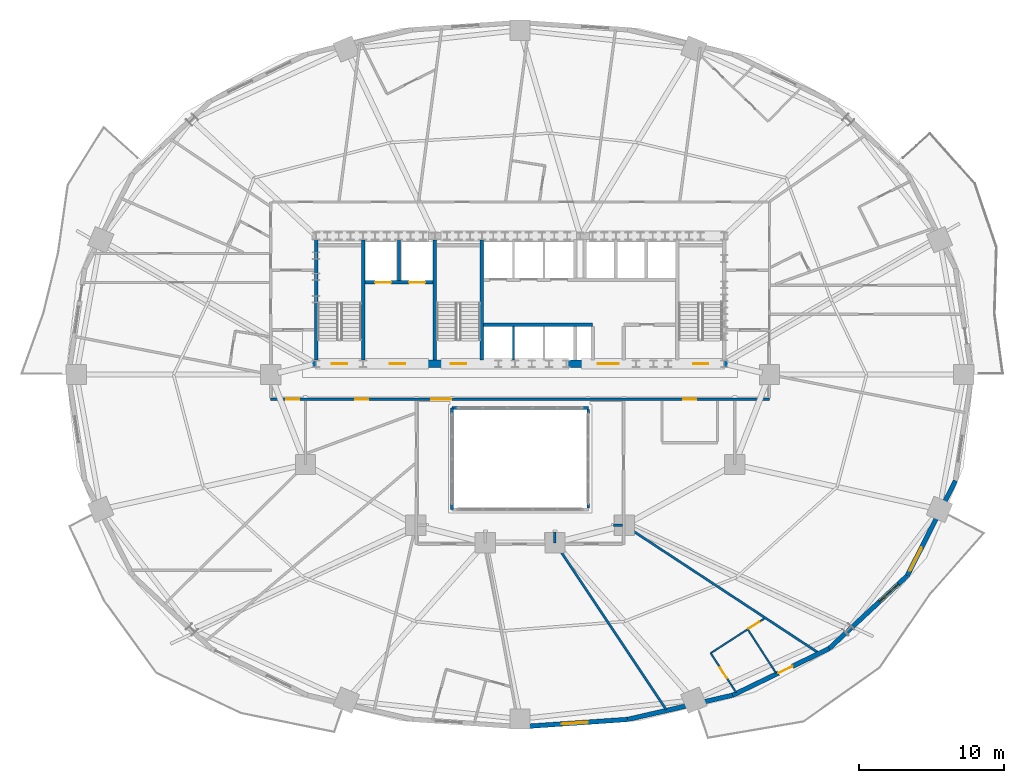
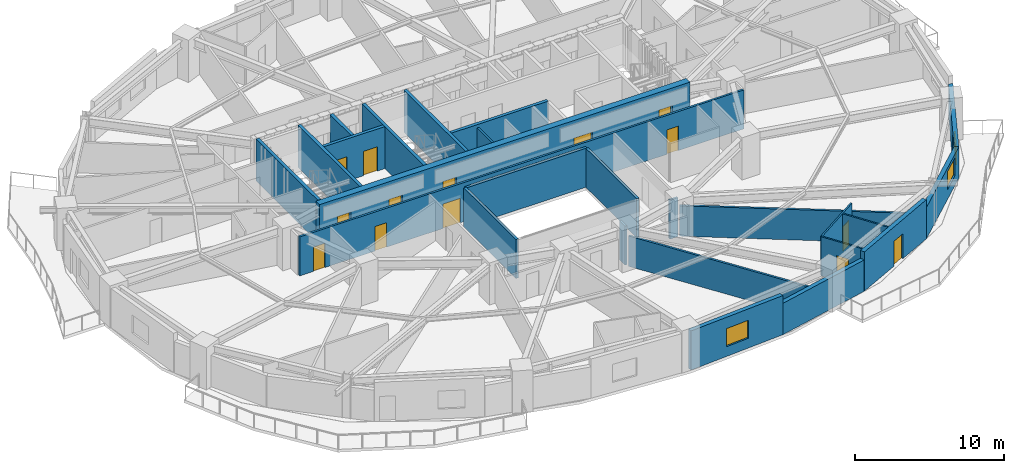
# One storey, part 10 of 17: 25 walls, 14 doors, 3 windows, 17 openings.
"""IFC4 building model written with IfcOpenShell, lengths in metres."""

from ifc_helpers import new_model, si_unit, direction, frame, frame_2d, origin, place, context, subcontext, project, spatial, rectangle, extrude, material, layer, layer_set, type_object, element, fill, save


model = new_model("IFC4")

# Units and contexts
model_context = context("Model", 3, precision=1e-05, world=origin(), true_north=direction((0.0, 1.0)))
body_context = subcontext(model_context, "Body", "Model", "MODEL_VIEW")
ifc_project = project(units=[si_unit("LENGTHUNIT", "METRE"), si_unit("AREAUNIT", "SQUARE_METRE"), si_unit("VOLUMEUNIT", "CUBIC_METRE"), si_unit("PLANEANGLEUNIT", "RADIAN"), si_unit("MASSUNIT", "GRAM", prefix="KILO")], contexts=[model_context])

# Site, building, storey
site_placement = place(None, origin())
site = spatial("IfcSite", under=ifc_project, at=site_placement, CompositionType="ELEMENT")
building_placement = place(site_placement, origin())
building = spatial("IfcBuilding", under=site, at=building_placement, Name="Haldorwick Loom Tower", CompositionType="ELEMENT")
storey_placement = place(building_placement, frame((0.0, 0.0, 51.60009765625)))
storey = spatial("IfcBuildingStorey", under=building, at=storey_placement, Name="L13", CompositionType="ELEMENT", Elevation=51.60009765625)

# Wall, opening, window
ifc_material_1 = material(Name="Pressed Clay Face Brick and Insulated Masonry Backup Assembly", Category="masonry")
ifc_layer_1 = layer(ifc_material_1, 0.320068359375, Name="Pressed Clay Face Brick and Insulated Masonry Backup Assembly", Category="masonry")
ifc_layer_set_1 = layer_set([ifc_layer_1], Name="Pressed Clay Face Brick and Insulated Masonry Backup Assembly")
wall_type_1 = type_object("IfcWallType", Name="ARC-WL-EXT320", PredefinedType="STANDARD", material=ifc_layer_set_1)
wall_1_placement = place(storey_placement, frame((36.0, 1.7099609375, 0.0), z_axis=(0.0, 0.0, 1.0), x_axis=(0.997645161917, 0.068586667092, 0.0)))
wall_1 = element("IfcWall", 1, at=wall_1_placement, inside=storey, type_object=wall_type_1, Name="L13 Brick Pier and Spandrel Wall 19", PredefinedType="STANDARD", context=body_context, shape_type="SweptSolid", body=[
    extrude(rectangle(XDim=7.428955078125, YDim=0.320068359375, at=frame_2d((3.71435546875, 0.0))), origin(), (0.0, 0.0, 1.0), 3.2099609375),
])
opening_1_placement = place(wall_1_placement, frame((2.874755859375, 0.0, 0.800048828125)))
opening_1 = element("IfcOpeningElement", 2, at=opening_1_placement, cuts=wall_1, Name="Opening W-01", PredefinedType="OPENING", context=body_context, shape_type="SweptSolid", body=[
    extrude(rectangle(XDim=1.800048828125, YDim=1.47998046875, at=frame_2d((0.89990234375, 0.739990234375))), frame((0.0, 0.169921875, 0.0), z_axis=(0.0, -1.0, 0.0), x_axis=(1.0, 0.0, 0.0)), (0.0, 0.0, 1.0), 0.340087890625),
])
ifc_material_2 = material(Name="Triple-Glazed Low-E Argon Insulated Glazing Unit", Category="glass")
window_type = type_object("IfcWindowType", Name="ARC-WIN-W180", PartitioningType="SINGLE_PANEL", PredefinedType="WINDOW", material=ifc_material_2)
window_1_placement = place(opening_1_placement, origin())
window_1 = element("IfcWindow", 3, at=window_1_placement, inside=storey, type_object=window_type, Name="L13 Deep-Set Zone 7A Window 19", OverallHeight=1.47998046875, OverallWidth=1.800048828125, PartitioningType="SINGLE_PANEL", PredefinedType="WINDOW", context=body_context, shape_type="SweptSolid", body=[
    extrude(rectangle(XDim=1.800048828125, YDim=1.47998046875, at=frame_2d((0.89990234375, 0.739990234375))), frame((0.0, 0.030029296875, 0.0), z_axis=(0.0, -1.0, 0.0), x_axis=(1.0, 0.0, 0.0)), (0.0, 0.0, 1.0), 0.06005859375),
])
fill(opening_1, window_1)

# Wall
wall_2_placement = place(storey_placement, frame((43.411376953125, 2.219482421875, 0.0), z_axis=(0.0, 0.0, 1.0), x_axis=(0.974522412345, 0.224290142088, 0.0)))
element("IfcWall", 4, at=wall_2_placement, inside=storey, type_object=wall_type_1, Name="L13 Brick Pier and Spandrel Wall 20", PredefinedType="STANDARD", context=body_context, shape_type="SweptSolid", body=[
    extrude(rectangle(XDim=7.422607421875, YDim=0.320068359375, at=frame_2d((3.71142578125, 0.0))), origin(), (0.0, 0.0, 1.0), 2.56884765625),
])

# Wall, opening, door
wall_3_placement = place(storey_placement, frame((50.644775390625, 3.88427734375, 0.0), z_axis=(0.0, 0.0, 1.0), x_axis=(0.900295710431, 0.435278800057, 0.0)))
wall_3 = element("IfcWall", 5, at=wall_3_placement, inside=storey, type_object=wall_type_1, Name="L13 Brick Pier and Spandrel Wall 21", PredefinedType="STANDARD", context=body_context, shape_type="SweptSolid", body=[
    extrude(rectangle(XDim=7.39697265625, YDim=0.320068359375, at=frame_2d((3.698486328125, 0.0))), origin(), (0.0, 0.0, 1.0), 3.2099609375),
])
opening_2_placement = place(wall_3_placement, frame((3.518310546875, 0.0, 0.0)))
opening_2 = element("IfcOpeningElement", 6, at=opening_2_placement, cuts=wall_3, Name="Opening D-BL11", PredefinedType="OPENING", context=body_context, shape_type="SweptSolid", body=[
    extrude(rectangle(XDim=1.080078125, YDim=2.0400390625, at=frame_2d((0.5400390625, 1.02001953125))), frame((0.0, 0.169921875, 0.0), z_axis=(0.0, -1.0, 0.0), x_axis=(1.0, 0.0, 0.0)), (0.0, 0.0, 1.0), 0.340087890625),
])
ifc_material_3 = material(Name="Thermally Broken Anodized Aluminium Curtain Wall Framing", Category="aluminium")
door_type_1 = type_object("IfcDoorType", Name="ARC-DR-BAL110", OperationType="NOTDEFINED", PredefinedType="DOOR", material=ifc_material_3)
door_1_placement = place(opening_2_placement, origin())
door_1 = element("IfcDoor", 7, at=door_1_placement, inside=storey, type_object=door_type_1, Name="L13 Outdoor Terrace Door SLB-L13-BAL_SE", OperationType="SINGLE_SWING_LEFT", OverallHeight=2.0400390625, OverallWidth=1.080078125, PredefinedType="DOOR", context=body_context, shape_type="SweptSolid", body=[
    extrude(rectangle(XDim=1.080078125, YDim=2.0400390625, at=frame_2d((0.5400390625, 1.02001953125))), frame((0.0, 0.02490234375, 0.0), z_axis=(0.0, -1.0, 0.0), x_axis=(1.0, 0.0, 0.0)), (0.0, 0.0, 1.0), 0.050048828125),
])
fill(opening_2, door_1)

# Wall, opening, window
wall_4_placement = place(storey_placement, frame((57.30419921875, 7.10400390625, 0.0), z_axis=(0.0, 0.0, 1.0), x_axis=(0.73176101237, 0.681561311091, 0.0)))
wall_4 = element("IfcWall", 8, at=wall_4_placement, inside=storey, type_object=wall_type_1, Name="L13 Brick Pier and Spandrel Wall 22", PredefinedType="STANDARD", context=body_context, shape_type="SweptSolid", body=[
    extrude(rectangle(XDim=7.3583984375, YDim=0.320068359375, at=frame_2d((3.67919921875, 0.0))), origin(), (0.0, 0.0, 1.0), 2.56884765625),
])
opening_3_placement = place(wall_4_placement, frame((4.736572265625, 0.0, 0.800048828125)))
opening_3 = element("IfcOpeningElement", 9, at=opening_3_placement, cuts=wall_4, Name="Opening W-01", PredefinedType="OPENING", context=body_context, shape_type="SweptSolid", body=[
    extrude(rectangle(XDim=1.800048828125, YDim=1.47998046875, at=frame_2d((0.89990234375, 0.739990234375))), frame((0.0, 0.169921875, 0.0), z_axis=(0.0, -1.0, 0.0), x_axis=(1.0, 0.0, 0.0)), (0.0, 0.0, 1.0), 0.340087890625),
])
window_2_placement = place(opening_3_placement, origin())
window_2 = element("IfcWindow", 10, at=window_2_placement, inside=storey, type_object=window_type, Name="L13 Deep-Set Zone 7A Window 22", OverallHeight=1.47998046875, OverallWidth=1.800048828125, PartitioningType="SINGLE_PANEL", PredefinedType="WINDOW", context=body_context, shape_type="SweptSolid", body=[
    extrude(rectangle(XDim=1.800048828125, YDim=1.47998046875, at=frame_2d((0.89990234375, 0.739990234375))), frame((0.0, 0.030029296875, 0.0), z_axis=(0.0, -1.0, 0.0), x_axis=(1.0, 0.0, 0.0)), (0.0, 0.0, 1.0), 0.06005859375),
])
fill(opening_3, window_2)

wall_5_placement = place(storey_placement, frame((62.688720703125, 12.119140625, 0.0), z_axis=(0.0, 0.0, 1.0), x_axis=(0.452950855928, 0.891535485617, 0.0)))
wall_5 = element("IfcWall", 11, at=wall_5_placement, inside=storey, type_object=wall_type_1, Name="L13 Brick Pier and Spandrel Wall 23", PredefinedType="STANDARD", context=body_context, shape_type="SweptSolid", body=[
    extrude(rectangle(XDim=7.3583984375, YDim=0.320068359375, at=frame_2d((3.67919921875, 0.0))), origin(), (0.0, 0.0, 1.0), 2.56884765625),
])
opening_4_placement = place(wall_5_placement, frame((0.400146484375, 0.0, 0.800048828125)))
opening_4 = element("IfcOpeningElement", 12, at=opening_4_placement, cuts=wall_5, Name="Opening W-01", PredefinedType="OPENING", context=body_context, shape_type="SweptSolid", body=[
    extrude(rectangle(XDim=1.800048828125, YDim=1.47998046875, at=frame_2d((0.89990234375, 0.739990234375))), frame((0.0, 0.169921875, 0.0), z_axis=(0.0, -1.0, 0.0), x_axis=(1.0, 0.0, 0.0)), (0.0, 0.0, 1.0), 0.340087890625),
])
window_3_placement = place(opening_4_placement, origin())
window_3 = element("IfcWindow", 13, at=window_3_placement, inside=storey, type_object=window_type, Name="L13 Deep-Set Zone 7A Window 23", OverallHeight=1.47998046875, OverallWidth=1.800048828125, PartitioningType="SINGLE_PANEL", PredefinedType="WINDOW", context=body_context, shape_type="SweptSolid", body=[
    extrude(rectangle(XDim=1.800048828125, YDim=1.47998046875, at=frame_2d((0.89990234375, 0.739990234375))), frame((0.0, 0.030029296875, 0.0), z_axis=(0.0, -1.0, 0.0), x_axis=(1.0, 0.0, 0.0)), (0.0, 0.0, 1.0), 0.06005859375),
])
fill(opening_4, window_3)

# Wall, openings, doors
ifc_material_4 = material(Name="Fire-Rated Type X Gypsum Stud Assembly EI 60")
ifc_layer_2 = layer(ifc_material_4, 0.159912109375, Name="Fire-Rated Type X Gypsum Stud Assembly EI 60")
ifc_layer_set_2 = layer_set([ifc_layer_2], Name="Fire-Rated Type X Gypsum Stud Assembly EI 60")
wall_type_2 = type_object("IfcWallType", Name="ARC-WL-FIRE160", PredefinedType="PARTITIONING", material=ifc_layer_set_2)
wall_6_placement = place(storey_placement, frame((18.800048828125, 24.300048828125, 0.0), z_axis=(0.0, 0.0, 1.0), x_axis=(1.0, 0.0, 0.0)))
wall_6 = element("IfcWall", 14, at=wall_6_placement, inside=storey, type_object=wall_type_2, Name="L13 Residential Fire Partition L13-CR-SP", PredefinedType="PARTITIONING", context=body_context, shape_type="SweptSolid", body=[
    extrude(rectangle(XDim=34.39990234375, YDim=0.159912109375, at=frame_2d((17.199951171875, 0.0))), origin(), (0.0, 0.0, 1.0), 3.19482421875),
])
opening_5_placement = place(wall_6_placement, frame((11.085693359375, 0.0, 0.0)))
opening_5 = element("IfcOpeningElement", 15, at=opening_5_placement, cuts=wall_6, Name="Opening D-CR15", PredefinedType="OPENING", context=body_context, shape_type="SweptSolid", body=[
    extrude(rectangle(XDim=1.35009765625, YDim=2.0, at=frame_2d((0.675048828125, 1.0))), frame((0.0, 0.08984375, 0.0), z_axis=(0.0, -1.0, 0.0), x_axis=(1.0, 0.0, 0.0)), (0.0, 0.0, 1.0), 0.179931640625),
])
opening_6_placement = place(wall_6_placement, frame((5.834716796875, 0.0, 0.0)))
opening_6 = element("IfcOpeningElement", 16, at=opening_6_placement, cuts=wall_6, Name="Opening D-FD60A", PredefinedType="OPENING", context=body_context, shape_type="SweptSolid", body=[
    extrude(rectangle(XDim=0.89990234375, YDim=2.0, at=frame_2d((0.449951171875, 1.0))), frame((0.0, 0.08984375, 0.0), z_axis=(0.0, -1.0, 0.0), x_axis=(1.0, 0.0, 0.0)), (0.0, 0.0, 1.0), 0.179931640625),
])
opening_7_placement = place(wall_6_placement, frame((28.437255859375, 0.0, 0.0)))
opening_7 = element("IfcOpeningElement", 17, at=opening_7_placement, cuts=wall_6, Name="Opening D-FD60A", PredefinedType="OPENING", context=body_context, shape_type="SweptSolid", body=[
    extrude(rectangle(XDim=0.89990234375, YDim=2.0, at=frame_2d((0.449951171875, 1.0))), frame((0.0, 0.08984375, 0.0), z_axis=(0.0, -1.0, 0.0), x_axis=(1.0, 0.0, 0.0)), (0.0, 0.0, 1.0), 0.179931640625),
])
opening_8_placement = place(wall_6_placement, frame((1.063232421875, 0.0, 0.0)))
opening_8 = element("IfcOpeningElement", 18, at=opening_8_placement, cuts=wall_6, Name="Opening D-FD60A", PredefinedType="OPENING", context=body_context, shape_type="SweptSolid", body=[
    extrude(rectangle(XDim=0.89990234375, YDim=2.0, at=frame_2d((0.449951171875, 1.0))), frame((0.0, 0.08984375, 0.0), z_axis=(0.0, -1.0, 0.0), x_axis=(1.0, 0.0, 0.0)), (0.0, 0.0, 1.0), 0.179931640625),
])
ifc_material_5 = material(Name="Thermally Broken Anodized Aluminium and Tempered Glass", Category="aluminium")
door_type_2 = type_object("IfcDoorType", Name="ARC-DR-COR150", OperationType="NOTDEFINED", PredefinedType="DOOR", material=ifc_material_5)
door_2_placement = place(opening_5_placement, origin())
door_2 = element("IfcDoor", 19, at=door_2_placement, inside=storey, type_object=door_type_2, Name="L13 L13 Central Residential Corridor to L13 South Atrium Corridor Door", OperationType="DOUBLE_DOOR_SINGLE_SWING", OverallHeight=2.0, OverallWidth=1.35009765625, PredefinedType="DOOR", context=body_context, shape_type="SweptSolid", body=[
    extrude(rectangle(XDim=1.35009765625, YDim=2.0, at=frame_2d((0.675048828125, 1.0))), frame((0.0, 0.02490234375, 0.0), z_axis=(0.0, -1.0, 0.0), x_axis=(1.0, 0.0, 0.0)), (0.0, 0.0, 1.0), 0.050048828125),
])
fill(opening_5, door_2)
ifc_material_6 = material(Name="Hollow Steel Fire Door Assembly", Category="steel")
door_type_3 = type_object("IfcDoorType", Name="ARC-DR-FD60-90", OperationType="NOTDEFINED", PredefinedType="DOOR", material=ifc_material_6)
door_3_placement = place(opening_6_placement, origin())
door_3 = element("IfcDoor", 20, at=door_3_placement, inside=storey, type_object=door_type_3, Name="L13 L13 Central Residential Corridor to Shared Dining Hall 1 Door", OperationType="SINGLE_SWING_RIGHT", OverallHeight=2.0, OverallWidth=0.89990234375, PredefinedType="DOOR", context=body_context, shape_type="SweptSolid", body=[
    extrude(rectangle(XDim=0.89990234375, YDim=2.0, at=frame_2d((0.449951171875, 1.0))), frame((0.0, 0.02490234375, 0.0), z_axis=(0.0, -1.0, 0.0), x_axis=(1.0, 0.0, 0.0)), (0.0, 0.0, 1.0), 0.050048828125),
])
fill(opening_6, door_3)
door_4_placement = place(opening_7_placement, origin())
door_4 = element("IfcDoor", 21, at=door_4_placement, inside=storey, type_object=door_type_3, Name="L13 L13 Central Residential Corridor to Common Accessible WC Door", OperationType="SINGLE_SWING_LEFT", OverallHeight=2.0, OverallWidth=0.89990234375, PredefinedType="DOOR", context=body_context, shape_type="SweptSolid", body=[
    extrude(rectangle(XDim=0.89990234375, YDim=2.0, at=frame_2d((0.449951171875, 1.0))), frame((0.0, 0.02490234375, 0.0), z_axis=(0.0, -1.0, 0.0), x_axis=(1.0, 0.0, 0.0)), (0.0, 0.0, 1.0), 0.050048828125),
])
fill(opening_7, door_4)
door_5_placement = place(opening_8_placement, origin())
door_5 = element("IfcDoor", 22, at=door_5_placement, inside=storey, type_object=door_type_3, Name="L13 L13 Central Residential Corridor to Co-Working Open Office 6 Door", OperationType="SINGLE_SWING_RIGHT", OverallHeight=2.0, OverallWidth=0.89990234375, PredefinedType="DOOR", context=body_context, shape_type="SweptSolid", body=[
    extrude(rectangle(XDim=0.89990234375, YDim=2.0, at=frame_2d((0.449951171875, 1.0))), frame((0.0, 0.02490234375, 0.0), z_axis=(0.0, -1.0, 0.0), x_axis=(1.0, 0.0, 0.0)), (0.0, 0.0, 1.0), 0.050048828125),
])
fill(opening_8, door_5)

# Walls
wall_7_placement = place(storey_placement, frame((43.23291015625, 15.578369140625, 0.0), z_axis=(0.0, 0.0, 1.0), x_axis=(0.835758656333, -0.549096957161, 0.0)))
element("IfcWall", 23, at=wall_7_placement, inside=storey, type_object=wall_type_2, Name="L13 Residential Fire Partition L13-ICR-04", PredefinedType="PARTITIONING", context=body_context, shape_type="SweptSolid", body=[
    extrude(rectangle(XDim=15.95263671875, YDim=0.159912109375, at=frame_2d((7.976318359375, 0.0))), origin(), (0.0, 0.0, 1.0), 2.489990234375),
])
wall_8_placement = place(storey_placement, frame((38.52197265625, 14.217041015625, 0.0), z_axis=(0.0, 0.0, 1.0), x_axis=(0.55469605481, -0.832053055266, 0.0)))
element("IfcWall", 24, at=wall_8_placement, inside=storey, type_object=wall_type_2, Name="L13 Residential Fire Partition L13-ICR-06", PredefinedType="PARTITIONING", context=body_context, shape_type="SweptSolid", body=[
    extrude(rectangle(XDim=13.60400390625, YDim=0.159912109375, at=frame_2d((6.802001953125, 0.0))), origin(), (0.0, 0.0, 1.0), 2.489990234375),
])
wall_9_placement = place(storey_placement, frame((42.449951171875, 15.60009765625, 0.0), z_axis=(0.0, 0.0, 1.0), x_axis=(1.0, 0.0, 0.0)))
element("IfcWall", 25, at=wall_9_placement, inside=storey, type_object=wall_type_2, Name="L13 Residential Fire Partition L13-ICA-03", PredefinedType="PARTITIONING", context=body_context, shape_type="SweptSolid", body=[
    extrude(rectangle(XDim=0.616943359375, YDim=0.159912109375, at=frame_2d((0.30859375, 0.0))), origin(), (0.0, 0.0, 1.0), 3.19482421875),
])
wall_10_placement = place(storey_placement, frame((38.39990234375, 15.14990234375, 0.0), z_axis=(0.0, 0.0, 1.0), x_axis=(0.0, -1.0, 0.0)))
element("IfcWall", 26, at=wall_10_placement, inside=storey, type_object=wall_type_2, Name="L13 Residential Fire Partition L13-ICA-05", PredefinedType="PARTITIONING", context=body_context, shape_type="SweptSolid", body=[
    extrude(rectangle(XDim=0.75, YDim=0.159912109375, at=frame_2d((0.375, 0.0))), origin(), (0.0, 0.0, 1.0), 3.19482421875),
])
ifc_material_7 = material(Name="Fire-Rated Type X Gypsum Stud Assembly EI 120")
ifc_layer_3 = layer(ifc_material_7, 0.199951171875, Name="Fire-Rated Type X Gypsum Stud Assembly EI 120")
ifc_layer_set_3 = layer_set([ifc_layer_3], Name="Fire-Rated Type X Gypsum Stud Assembly EI 120")
wall_type_3 = type_object("IfcWallType", Name="ARC-WL-FIRE200", PredefinedType="PARTITIONING", material=ifc_layer_set_3)
wall_11_placement = place(storey_placement, frame((31.300048828125, 23.699951171875, 0.0), z_axis=(0.0, 0.0, 1.0), x_axis=(1.0, 0.0, 0.0)))
element("IfcWall", 27, at=wall_11_placement, inside=storey, type_object=wall_type_3, Name="L13 Atrium Fire Enclosure Wall N", PredefinedType="PARTITIONING", context=body_context, shape_type="SweptSolid", body=[
    extrude(rectangle(XDim=9.39990234375, YDim=0.199951171875, at=frame_2d((4.699951171875, 0.0))), origin(), (0.0, 0.0, 1.0), 3.19482421875),
])
wall_12_placement = place(storey_placement, frame((31.300048828125, 16.699951171875, 0.0), z_axis=(0.0, 0.0, 1.0), x_axis=(0.0, 1.0, 0.0)))
element("IfcWall", 28, at=wall_12_placement, inside=storey, type_object=wall_type_3, Name="L13 Atrium Fire Enclosure Wall W", PredefinedType="PARTITIONING", context=body_context, shape_type="SweptSolid", body=[
    extrude(rectangle(XDim=7.0, YDim=0.199951171875, at=frame_2d((3.5, 0.0))), origin(), (0.0, 0.0, 1.0), 3.19482421875),
])
wall_13_placement = place(storey_placement, frame((40.699951171875, 23.596923828125, 0.0), z_axis=(0.0, 0.0, 1.0), x_axis=(0.0, -1.0, 0.0)))
element("IfcWall", 29, at=wall_13_placement, inside=storey, type_object=wall_type_3, Name="L13 Atrium Fire Enclosure Wall E", PredefinedType="PARTITIONING", context=body_context, shape_type="SweptSolid", body=[
    extrude(rectangle(XDim=6.7939453125, YDim=0.199951171875, at=frame_2d((3.39697265625, 0.0))), origin(), (0.0, 0.0, 1.0), 3.19482421875),
])

# Wall, opening, door
ifc_material_8 = material(Name="Acoustic Gypsum Stud Assembly STC 55")
ifc_layer_4 = layer(ifc_material_8, 0.1201171875, Name="Acoustic Gypsum Stud Assembly STC 55")
ifc_layer_set_4 = layer_set([ifc_layer_4], Name="Acoustic Gypsum Stud Assembly STC 55")
wall_type_4 = type_object("IfcWallType", Name="ARC-WL-PART120", PredefinedType="PARTITIONING", material=ifc_layer_set_4)
wall_14_placement = place(storey_placement, frame((49.145263671875, 6.7900390625, 0.0), z_axis=(0.0, 0.0, 1.0), x_axis=(0.839963858336, 0.542642346937, 0.0)))
wall_14 = element("IfcWall", 30, at=wall_14_placement, inside=storey, type_object=wall_type_4, Name="L13 Unit 13C Interior Partition", PredefinedType="PARTITIONING", context=body_context, shape_type="SweptSolid", body=[
    extrude(rectangle(XDim=4.389892578125, YDim=0.1201171875, at=frame_2d((2.19482421875, 0.0))), origin(), (0.0, 0.0, 1.0), 3.19482421875),
])
opening_9_placement = place(wall_14_placement, frame((3.112060546875, 0.0, 0.0)))
opening_9 = element("IfcOpeningElement", 31, at=opening_9_placement, cuts=wall_14, Name="Opening D-BT88", PredefinedType="OPENING", context=body_context, shape_type="SweptSolid", body=[
    extrude(rectangle(XDim=0.8798828125, YDim=2.02001953125, at=frame_2d((0.43994140625, 1.010009765625))), frame((0.0, 0.070068359375, 0.0), z_axis=(0.0, -1.0, 0.0), x_axis=(1.0, 0.0, 0.0)), (0.0, 0.0, 1.0), 0.14013671875),
])
ifc_material_9 = material(Name="Solid Core Birch Architectural Door")
door_type_4 = type_object("IfcDoorType", Name="ARC-DR-BATH88", OperationType="NOTDEFINED", PredefinedType="DOOR", material=ifc_material_9)
door_6_placement = place(opening_9_placement, origin())
door_6 = element("IfcDoor", 32, at=door_6_placement, inside=storey, type_object=door_type_4, Name="L13 Unit 13C Kitchen and Living Room to Unit 13C Bedroom 1 Door", OperationType="SINGLE_SWING_LEFT", OverallHeight=2.02001953125, OverallWidth=0.8798828125, PredefinedType="DOOR", context=body_context, shape_type="SweptSolid", body=[
    extrude(rectangle(XDim=0.8798828125, YDim=2.02001953125, at=frame_2d((0.43994140625, 1.010009765625))), frame((0.0, 0.02490234375, 0.0), z_axis=(0.0, -1.0, 0.0), x_axis=(1.0, 0.0, 0.0)), (0.0, 0.0, 1.0), 0.050048828125),
])
fill(opening_9, door_6)

wall_15_placement = place(storey_placement, frame((49.145263671875, 6.7900390625, 0.0), z_axis=(0.0, 0.0, 1.0), x_axis=(0.542705536081, -0.839923032847, 0.0)))
wall_15 = element("IfcWall", 33, at=wall_15_placement, inside=storey, type_object=wall_type_4, Name="L13 Unit 13C Interior Partition", PredefinedType="PARTITIONING", context=body_context, shape_type="SweptSolid", body=[
    extrude(rectangle(XDim=3.228271484375, YDim=0.1201171875, at=frame_2d((1.6142578125, 0.0))), origin(), (0.0, 0.0, 1.0), 3.19482421875),
])
opening_10_placement = place(wall_15_placement, frame((1.174072265625, 0.0, 0.0)))
opening_10 = element("IfcOpeningElement", 34, at=opening_10_placement, cuts=wall_15, Name="Opening D-BT88", PredefinedType="OPENING", context=body_context, shape_type="SweptSolid", body=[
    extrude(rectangle(XDim=0.8798828125, YDim=2.02001953125, at=frame_2d((0.43994140625, 1.010009765625))), frame((0.0, 0.070068359375, 0.0), z_axis=(0.0, -1.0, 0.0), x_axis=(1.0, 0.0, 0.0)), (0.0, 0.0, 1.0), 0.14013671875),
])
door_7_placement = place(opening_10_placement, origin())
door_7 = element("IfcDoor", 35, at=door_7_placement, inside=storey, type_object=door_type_4, Name="L13 Unit 13C Bathroom to Unit 13C Kitchen and Living Room Door", OperationType="SINGLE_SWING_LEFT", OverallHeight=2.02001953125, OverallWidth=0.8798828125, PredefinedType="DOOR", context=body_context, shape_type="SweptSolid", body=[
    extrude(rectangle(XDim=0.8798828125, YDim=2.02001953125, at=frame_2d((0.43994140625, 1.010009765625))), frame((0.0, 0.02490234375, 0.0), z_axis=(0.0, -1.0, 0.0), x_axis=(1.0, 0.0, 0.0)), (0.0, 0.0, 1.0), 0.050048828125),
])
fill(opening_10, door_7)

# Walls
wall_16_placement = place(storey_placement, frame((51.7294921875, 8.384521484375, 0.0), z_axis=(0.0, 0.0, 1.0), x_axis=(0.542679471731, -0.839939873421, 0.0)))
element("IfcWall", 36, at=wall_16_placement, inside=storey, type_object=wall_type_4, Name="L13 Unit 13C Interior Partition", PredefinedType="PARTITIONING", context=body_context, shape_type="SweptSolid", body=[
    extrude(rectangle(XDim=3.54150390625, YDim=0.1201171875, at=frame_2d((1.770751953125, 0.0))), origin(), (0.0, 0.0, 1.0), 3.19482421875),
])
ifc_layer_5 = layer(ifc_material_7, 0.1650390625, Name="Fire-Rated Type X Gypsum Stud Assembly EI 120")
ifc_layer_set_5 = layer_set([ifc_layer_5], Name="Fire-Rated Type X Gypsum Stud Assembly EI 120")
wall_type_5 = type_object("IfcWallType", Name="ARC-WL-SHAFT160", PredefinedType="MOVABLE", material=ifc_layer_set_5)
wall_17_placement = place(storey_placement, frame((35.550048828125, 27.0029296875, 0.0), z_axis=(0.0, 0.0, 1.0), x_axis=(0.0, 1.0, 0.0)))
element("IfcWall", 37, at=wall_17_placement, inside=storey, type_object=wall_type_5, Name="L13 Mid-Rise Hoistway Divider 1", PredefinedType="MOVABLE", context=body_context, shape_type="SweptSolid", body=[
    extrude(rectangle(XDim=2.323974609375, YDim=0.159912109375, at=frame_2d((1.162109375, 0.0))), origin(), (0.0, 0.0, 1.0), 3.19482421875),
])

# Wall, openings, doors
ifc_material_10 = material(Name="Concrete C60 (60 MPa)", Category="concrete")
ifc_layer_6 = layer(ifc_material_10, 0.5, Name="Concrete C60 (60 MPa)", Category="concrete")
ifc_layer_set_6 = layer_set([ifc_layer_6], Name="Concrete C60 (60 MPa)")
wall_type_6 = type_object("IfcWallType", Name="STR-WL-CORE500", PredefinedType="SHEAR", material=ifc_layer_set_6)
wall_18_placement = place(storey_placement, frame((21.64990234375, 26.75, 0.0), z_axis=(0.0, 0.0, 1.0), x_axis=(1.0, 0.0, 0.0)))
wall_18 = element("IfcWall", 38, at=wall_18_placement, inside=storey, type_object=wall_type_6, Name="L13 Core Shear Wall S", PredefinedType="SHEAR", context=body_context, shape_type="SweptSolid", body=[
    extrude(rectangle(XDim=28.7001953125, YDim=0.5, at=frame_2d((14.35009765625, 0.0))), origin(), (0.0, 0.0, 1.0), 3.449951171875),
])
opening_11_placement = place(wall_18_placement, frame((1.375, 0.0, 0.0)))
opening_11 = element("IfcOpeningElement", 39, at=opening_11_placement, cuts=wall_18, Name="Opening D-FD60", PredefinedType="OPENING", context=body_context, shape_type="SweptSolid", body=[
    extrude(rectangle(XDim=1.050048828125, YDim=2.0, at=frame_2d((0.52490234375, 1.0))), frame((0.0, 0.260009765625, 0.0), z_axis=(0.0, -1.0, 0.0), x_axis=(1.0, 0.0, 0.0)), (0.0, 0.0, 1.0), 0.52001953125),
])
opening_12_placement = place(wall_18_placement, frame((5.375, 0.0, 0.0)))
opening_12 = element("IfcOpeningElement", 40, at=opening_12_placement, cuts=wall_18, Name="Opening D-FD60", PredefinedType="OPENING", context=body_context, shape_type="SweptSolid", body=[
    extrude(rectangle(XDim=1.050048828125, YDim=2.0, at=frame_2d((0.52490234375, 1.0))), frame((0.0, 0.260009765625, 0.0), z_axis=(0.0, -1.0, 0.0), x_axis=(1.0, 0.0, 0.0)), (0.0, 0.0, 1.0), 0.52001953125),
])
opening_13_placement = place(wall_18_placement, frame((9.574951171875, 0.0, 0.0)))
opening_13 = element("IfcOpeningElement", 41, at=opening_13_placement, cuts=wall_18, Name="Opening D-FD60", PredefinedType="OPENING", context=body_context, shape_type="SweptSolid", body=[
    extrude(rectangle(XDim=1.050048828125, YDim=2.0, at=frame_2d((0.52490234375, 1.0))), frame((0.0, 0.260009765625, 0.0), z_axis=(0.0, -1.0, 0.0), x_axis=(1.0, 0.0, 0.0)), (0.0, 0.0, 1.0), 0.52001953125),
])
opening_14_placement = place(wall_18_placement, frame((19.705078125, 0.0, 0.0)))
opening_14 = element("IfcOpeningElement", 42, at=opening_14_placement, cuts=wall_18, Name="Opening D-LB15", PredefinedType="OPENING", context=body_context, shape_type="SweptSolid", body=[
    extrude(rectangle(XDim=1.449951171875, YDim=2.0, at=frame_2d((0.72509765625, 1.0))), frame((0.0, 0.260009765625, 0.0), z_axis=(0.0, -1.0, 0.0), x_axis=(1.0, 0.0, 0.0)), (0.0, 0.0, 1.0), 0.52001953125),
])
opening_15_placement = place(wall_18_placement, frame((26.27490234375, 0.0, 0.0)))
opening_15 = element("IfcOpeningElement", 43, at=opening_15_placement, cuts=wall_18, Name="Opening D-FD60", PredefinedType="OPENING", context=body_context, shape_type="SweptSolid", body=[
    extrude(rectangle(XDim=1.050048828125, YDim=2.0, at=frame_2d((0.52490234375, 1.0))), frame((0.0, 0.260009765625, 0.0), z_axis=(0.0, -1.0, 0.0), x_axis=(1.0, 0.0, 0.0)), (0.0, 0.0, 1.0), 0.52001953125),
])
door_type_5 = type_object("IfcDoorType", Name="ARC-DR-FD60", OperationType="NOTDEFINED", PredefinedType="DOOR", material=ifc_material_6)
door_8_placement = place(opening_11_placement, origin())
door_8 = element("IfcDoor", 44, at=door_8_placement, inside=storey, type_object=door_type_5, Name="L13 Exit Stair ST-01 Fire Door", OperationType="SINGLE_SWING_LEFT", OverallHeight=2.0, OverallWidth=1.050048828125, PredefinedType="DOOR", context=body_context, shape_type="SweptSolid", body=[
    extrude(rectangle(XDim=1.050048828125, YDim=2.0, at=frame_2d((0.52490234375, 1.0))), frame((0.0, 0.02490234375, 0.0), z_axis=(0.0, -1.0, 0.0), x_axis=(1.0, 0.0, 0.0)), (0.0, 0.0, 1.0), 0.050048828125),
])
fill(opening_11, door_8)
door_9_placement = place(opening_12_placement, origin())
door_9 = element("IfcDoor", 45, at=door_9_placement, inside=storey, type_object=door_type_5, Name="L13 Firefighting Lift Lobby Fire Door", OperationType="SINGLE_SWING_RIGHT", OverallHeight=2.0, OverallWidth=1.050048828125, PredefinedType="DOOR", context=body_context, shape_type="SweptSolid", body=[
    extrude(rectangle(XDim=1.050048828125, YDim=2.0, at=frame_2d((0.52490234375, 1.0))), frame((0.0, 0.02490234375, 0.0), z_axis=(0.0, -1.0, 0.0), x_axis=(1.0, 0.0, 0.0)), (0.0, 0.0, 1.0), 0.050048828125),
])
fill(opening_12, door_9)
door_10_placement = place(opening_13_placement, origin())
door_10 = element("IfcDoor", 46, at=door_10_placement, inside=storey, type_object=door_type_5, Name="L13 Exit Stair ST-03 Fire Door", OperationType="SINGLE_SWING_LEFT", OverallHeight=2.0, OverallWidth=1.050048828125, PredefinedType="DOOR", context=body_context, shape_type="SweptSolid", body=[
    extrude(rectangle(XDim=1.050048828125, YDim=2.0, at=frame_2d((0.52490234375, 1.0))), frame((0.0, 0.02490234375, 0.0), z_axis=(0.0, -1.0, 0.0), x_axis=(1.0, 0.0, 0.0)), (0.0, 0.0, 1.0), 0.050048828125),
])
fill(opening_13, door_10)
door_11_placement = place(opening_15_placement, origin())
door_11 = element("IfcDoor", 47, at=door_11_placement, inside=storey, type_object=door_type_5, Name="L13 Exit Stair ST-02 Fire Door", OperationType="SINGLE_SWING_LEFT", OverallHeight=2.0, OverallWidth=1.050048828125, PredefinedType="DOOR", context=body_context, shape_type="SweptSolid", body=[
    extrude(rectangle(XDim=1.050048828125, YDim=2.0, at=frame_2d((0.52490234375, 1.0))), frame((0.0, 0.02490234375, 0.0), z_axis=(0.0, -1.0, 0.0), x_axis=(1.0, 0.0, 0.0)), (0.0, 0.0, 1.0), 0.050048828125),
])
fill(opening_15, door_11)
door_type_6 = type_object("IfcDoorType", Name="ARC-DR-LOB150", OperationType="NOTDEFINED", PredefinedType="DOOR", material=ifc_material_5)
door_12_placement = place(opening_14_placement, frame((1.449951171875, 0.0, 0.0), z_axis=(0.0, 0.0, 1.0), x_axis=(-1.0, 0.0, 0.0)))
door_12 = element("IfcDoor", 48, at=door_12_placement, inside=storey, type_object=door_type_6, Name="L13 Passenger Lift Lobby Fire Door", OperationType="DOUBLE_DOOR_SINGLE_SWING", OverallHeight=2.0, OverallWidth=1.449951171875, PredefinedType="DOOR", context=body_context, shape_type="SweptSolid", body=[
    extrude(rectangle(XDim=1.449951171875, YDim=2.0, at=frame_2d((0.72509765625, 1.0))), frame((0.0, 0.02490234375, 0.0), z_axis=(0.0, -1.0, 0.0), x_axis=(1.0, 0.0, 0.0)), (0.0, 0.0, 1.0), 0.050048828125),
])
fill(opening_14, door_12)

# Walls
ifc_material_11 = material(Name="Concrete C50 (50 MPa)", Category="concrete")
ifc_layer_7 = layer(ifc_material_11, 0.239990234375, Name="Concrete C50 (50 MPa)", Category="concrete")
ifc_layer_set_7 = layer_set([ifc_layer_7], Name="Concrete C50 (50 MPa)")
wall_type_7 = type_object("IfcWallType", Name="STR-WL-SHAFT240", PredefinedType="SHEAR", material=ifc_layer_set_7)
for number, where, z_axis, x_axis, name in (
    (49, (21.929931640625, 35.297119140625, 0.0), (0.0, 0.0, 1.0), (0.0, -1.0, 0.0), "L13 Core Shear Wall W"),
    (50, (25.169921875, 27.0029296875, 0.0), (0.0, 0.0, 1.0), (0.0, 1.0, 0.0), "L13 Core Shear Wall 1"),
    (51, (30.1298828125, 27.0029296875, 0.0), (0.0, 0.0, 1.0), (0.0, 1.0, 0.0), "L13 Core Shear Wall 2"),
    (52, (33.3701171875, 27.0029296875, 0.0), (0.0, 0.0, 1.0), (0.0, 1.0, 0.0), "L13 Core Shear Wall 3"),
):
    element("IfcWall", number, at=place(storey_placement, frame(where, z_axis=z_axis, x_axis=x_axis)), inside=storey, type_object=wall_type_7, Name=name, PredefinedType="SHEAR", context=body_context, shape_type="SweptSolid", body=[
        extrude(rectangle(XDim=8.294189453125, YDim=0.239990234375, at=frame_2d((4.14697265625, 0.0))), origin(), (0.0, 0.0, 1.0), 3.449951171875),
    ])

# Wall, openings, doors
wall_19_placement = place(storey_placement, frame((25.29296875, 32.35009765625, 0.0), z_axis=(0.0, 0.0, 1.0), x_axis=(1.0, 0.0, 0.0)))
wall_19 = element("IfcWall", 53, at=wall_19_placement, inside=storey, type_object=wall_type_7, Name="L13 Core Shear Wall FF", PredefinedType="SHEAR", context=body_context, shape_type="SweptSolid", body=[
    extrude(rectangle(XDim=4.714111328125, YDim=0.239990234375, at=frame_2d((2.35693359375, 0.0))), origin(), (0.0, 0.0, 1.0), 3.449951171875),
])
opening_16_placement = place(wall_19_placement, frame((0.70703125, 0.0, 0.0)))
opening_16 = element("IfcOpeningElement", 54, at=opening_16_placement, cuts=wall_19, Name="Opening LD-FF1", PredefinedType="OPENING", context=body_context, shape_type="SweptSolid", body=[
    extrude(rectangle(XDim=1.10009765625, YDim=2.0, at=frame_2d((0.550048828125, 1.0))), frame((0.0, 0.1298828125, 0.0), z_axis=(0.0, -1.0, 0.0), x_axis=(1.0, 0.0, 0.0)), (0.0, 0.0, 1.0), 0.260009765625),
])
opening_17_placement = place(wall_19_placement, frame((3.056884765625, 0.0, 0.0)))
opening_17 = element("IfcOpeningElement", 55, at=opening_17_placement, cuts=wall_19, Name="Opening LD-FF2", PredefinedType="OPENING", context=body_context, shape_type="SweptSolid", body=[
    extrude(rectangle(XDim=1.10009765625, YDim=2.0, at=frame_2d((0.550048828125, 1.0))), frame((0.0, 0.1298828125, 0.0), z_axis=(0.0, -1.0, 0.0), x_axis=(1.0, 0.0, 0.0)), (0.0, 0.0, 1.0), 0.260009765625),
])
door_type_7 = type_object("IfcDoorType", Name="ARC-DR-LD-FF", OperationType="NOTDEFINED", PredefinedType="USERDEFINED", material=ifc_material_6)
door_13_placement = place(opening_16_placement, origin())
door_13 = element("IfcDoor", 56, at=door_13_placement, inside=storey, type_object=door_type_7, Name="L13 Lift LF-FF1 Sliding Landing Door", ObjectType="LANDING DOOR", OperationType="DOUBLE_DOOR_SLIDING", OverallHeight=2.0, OverallWidth=1.10009765625, PredefinedType="USERDEFINED", context=body_context, shape_type="SweptSolid", body=[
    extrude(rectangle(XDim=1.10009765625, YDim=2.0, at=frame_2d((0.550048828125, 1.0))), frame((0.0, 0.02490234375, 0.0), z_axis=(0.0, -1.0, 0.0), x_axis=(1.0, 0.0, 0.0)), (0.0, 0.0, 1.0), 0.050048828125),
])
fill(opening_16, door_13)
door_14_placement = place(opening_17_placement, origin())
door_14 = element("IfcDoor", 57, at=door_14_placement, inside=storey, type_object=door_type_7, Name="L13 Lift LF-FF2 Sliding Landing Door", ObjectType="LANDING DOOR", OperationType="DOUBLE_DOOR_SLIDING", OverallHeight=2.0, OverallWidth=1.10009765625, PredefinedType="USERDEFINED", context=body_context, shape_type="SweptSolid", body=[
    extrude(rectangle(XDim=1.10009765625, YDim=2.0, at=frame_2d((0.550048828125, 1.0))), frame((0.0, 0.02490234375, 0.0), z_axis=(0.0, -1.0, 0.0), x_axis=(1.0, 0.0, 0.0)), (0.0, 0.0, 1.0), 0.050048828125),
])
fill(opening_17, door_14)

# Walls
wall_20_placement = place(storey_placement, frame((27.64990234375, 32.472900390625, 0.0), z_axis=(0.0, 0.0, 1.0), x_axis=(0.0, 1.0, 0.0)))
element("IfcWall", 58, at=wall_20_placement, inside=storey, type_object=wall_type_7, Name="L13 Core Shear Wall FFD", PredefinedType="SHEAR", context=body_context, shape_type="SweptSolid", body=[
    extrude(rectangle(XDim=2.82421875, YDim=0.239990234375, at=frame_2d((1.412109375, 0.0))), origin(), (0.0, 0.0, 1.0), 3.449951171875),
])
wall_21_placement = place(storey_placement, frame((33.492919921875, 29.449951171875, 0.0), z_axis=(0.0, 0.0, 1.0), x_axis=(1.0, 0.0, 0.0)))
element("IfcWall", 59, at=wall_21_placement, inside=storey, type_object=wall_type_7, Name="L13 Core Shear Wall LS1", PredefinedType="SHEAR", context=body_context, shape_type="SweptSolid", body=[
    extrude(rectangle(XDim=7.507080078125, YDim=0.239990234375, at=frame_2d((3.75341796875, 0.0))), origin(), (0.0, 0.0, 1.0), 3.449951171875),
])

save(model, "model.ifc")
